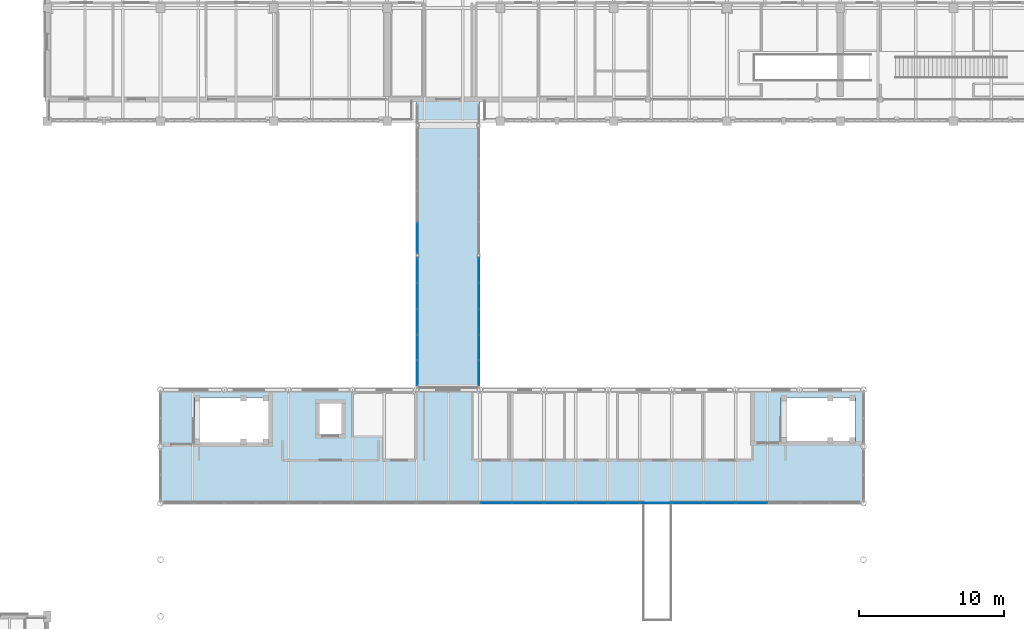
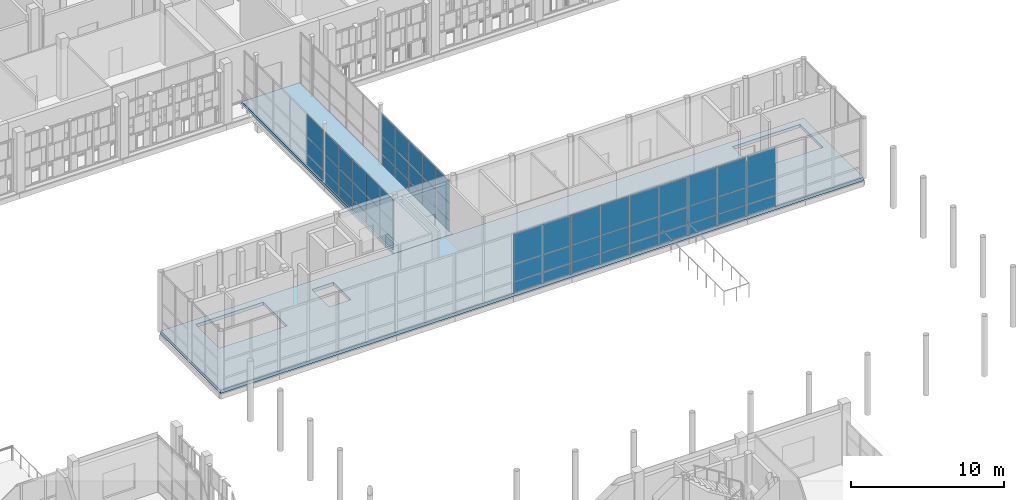
# One storey, part 82 of 138: 60 plates, 2 slabs, 8 elements without a shape of their own.
"""IFC4 building model written with IfcOpenShell, lengths in metres."""

from ifc_helpers import new_model, si_unit, direction, frame, origin, origin_2d, place, context, subcontext, project, spatial, polyline, rectangle, outline, extrude, material, layer, layer_set, type_object, element, aggregate, save


model = new_model("IFC4")

# Units and contexts
model_context = context("Model", 3, precision=1e-05, world=origin(), true_north=direction((0.0, 1.0)))
body_context = subcontext(model_context, "Body", "Model", "MODEL_VIEW")
ifc_project = project(units=[si_unit("LENGTHUNIT", "METRE"), si_unit("AREAUNIT", "SQUARE_METRE"), si_unit("VOLUMEUNIT", "CUBIC_METRE"), si_unit("PLANEANGLEUNIT", "RADIAN"), si_unit("MASSUNIT", "GRAM", prefix="KILO")], contexts=[model_context])

# Site, building, storey
site_placement = place(None, origin())
site = spatial("IfcSite", under=ifc_project, at=site_placement, CompositionType="ELEMENT")
building_placement = place(site_placement, origin())
building = spatial("IfcBuilding", under=site, at=building_placement, Name="Celorna Specialist Clinic", CompositionType="ELEMENT")
storey_placement = place(building_placement, frame((0.0, 0.0, 4.800048828125)))
storey = spatial("IfcBuildingStorey", under=building, at=storey_placement, Name="L01", CompositionType="ELEMENT", Elevation=4.800048828125)

# Curtain wall, plates
ifc_material_1 = material(Name="Thermally broken aluminium and solar-control glass curtain wall", Category="aluminium")
ifc_layer_1 = layer(ifc_material_1, 0.159912109375, Name="Thermally broken aluminium and solar-control glass curtain wall")
ifc_layer_set_1 = layer_set([ifc_layer_1], Name="Thermally broken aluminium and solar-control glass curtain wall")
curtain_wall_type_1 = type_object("IfcCurtainWallType", Name="CW-09", PredefinedType="NOTDEFINED", material=ifc_layer_set_1)
curtain_wall_1_placement = place(storey_placement, origin())
curtain_wall_1 = element("IfcCurtainWall", 1, at=curtain_wall_1_placement, inside=storey, type_object=curtain_wall_type_1, Name="Curtain wall CW-09 #33", PredefinedType="NOTDEFINED")
ifc_material_2 = material(Name="Low-e double glazing", Category="glass")
ifc_layer_2 = layer(ifc_material_2, 0.028076171875, Name="Low-e double glazing")
ifc_layer_set_2 = layer_set([ifc_layer_2], Name="Low-e double glazing")
plate_type_1 = type_object("IfcPlateType", Name="CPN-01", PredefinedType="CURTAIN_PANEL", material=ifc_layer_set_2)
plate_1_placement = place(storey_placement, frame((88.685546875, 70.199951171875, 0.0498046875), z_axis=(0.0, 0.0, 1.0), x_axis=(-1.0, 0.0, 0.0)))
plate_1 = element("IfcPlate", 2, at=plate_1_placement, type_object=plate_type_1, Name="CW-09 panel 1.1", PredefinedType="CURTAIN_PANEL", context=body_context, shape_type="SweptSolid", body=[
    extrude(rectangle(XDim=2.12109375, YDim=0.028076171875, at=origin_2d()), origin(), (0.0, 0.0, 1.0), 0.824951171875),
])
plate_2_placement = place(storey_placement, frame((88.685546875, 70.199951171875, 0.9248046875), z_axis=(0.0, 0.0, 1.0), x_axis=(-1.0, 0.0, 0.0)))
plate_2 = element("IfcPlate", 3, at=plate_2_placement, type_object=plate_type_1, Name="CW-09 panel 1.2", PredefinedType="CURTAIN_PANEL", context=body_context, shape_type="SweptSolid", body=[
    extrude(rectangle(XDim=2.12109375, YDim=0.028076171875, at=origin_2d()), origin(), (0.0, 0.0, 1.0), 1.35009765625),
])
plate_3_placement = place(storey_placement, frame((88.685546875, 70.199951171875, 2.324951171875), z_axis=(0.0, 0.0, 1.0), x_axis=(-1.0, 0.0, 0.0)))
plate_3 = element("IfcPlate", 4, at=plate_3_placement, type_object=plate_type_1, Name="CW-09 panel 1.3", PredefinedType="CURTAIN_PANEL", context=body_context, shape_type="SweptSolid", body=[
    extrude(rectangle(XDim=2.12109375, YDim=0.028076171875, at=origin_2d()), origin(), (0.0, 0.0, 1.0), 2.375),
])
plate_4_placement = place(storey_placement, frame((86.514404296875, 70.199951171875, 0.0498046875), z_axis=(0.0, 0.0, 1.0), x_axis=(-1.0, 0.0, 0.0)))
plate_4 = element("IfcPlate", 5, at=plate_4_placement, type_object=plate_type_1, Name="CW-09 panel 2.1", PredefinedType="CURTAIN_PANEL", context=body_context, shape_type="SweptSolid", body=[
    extrude(rectangle(XDim=2.12109375, YDim=0.028076171875, at=origin_2d()), origin(), (0.0, 0.0, 1.0), 0.824951171875),
])
plate_5_placement = place(storey_placement, frame((86.514404296875, 70.199951171875, 0.9248046875), z_axis=(0.0, 0.0, 1.0), x_axis=(-1.0, 0.0, 0.0)))
plate_5 = element("IfcPlate", 6, at=plate_5_placement, type_object=plate_type_1, Name="CW-09 panel 2.2", PredefinedType="CURTAIN_PANEL", context=body_context, shape_type="SweptSolid", body=[
    extrude(rectangle(XDim=2.12109375, YDim=0.028076171875, at=origin_2d()), origin(), (0.0, 0.0, 1.0), 1.35009765625),
])
plate_6_placement = place(storey_placement, frame((86.514404296875, 70.199951171875, 2.324951171875), z_axis=(0.0, 0.0, 1.0), x_axis=(-1.0, 0.0, 0.0)))
plate_6 = element("IfcPlate", 7, at=plate_6_placement, type_object=plate_type_1, Name="CW-09 panel 2.3", PredefinedType="CURTAIN_PANEL", context=body_context, shape_type="SweptSolid", body=[
    extrude(rectangle(XDim=2.12109375, YDim=0.028076171875, at=origin_2d()), origin(), (0.0, 0.0, 1.0), 2.375),
])
aggregate(curtain_wall_1, [plate_1, plate_2, plate_3, plate_4, plate_5, plate_6])

ifc_layer_3 = layer(ifc_material_1, 0.159912109375, Name="Thermally broken aluminium and solar-control glass curtain wall")
ifc_layer_set_3 = layer_set([ifc_layer_3], Name="Thermally broken aluminium and solar-control glass curtain wall")
curtain_wall_type_2 = type_object("IfcCurtainWallType", Name="CW-113", PredefinedType="NOTDEFINED", material=ifc_layer_set_3)
curtain_wall_2_placement = place(storey_placement, origin())
curtain_wall_2 = element("IfcCurtainWall", 8, at=curtain_wall_2_placement, inside=storey, type_object=curtain_wall_type_2, Name="Curtain wall CW-113 #210", PredefinedType="NOTDEFINED")
plate_7_placement = place(storey_placement, frame((72.280029296875, 79.150390625, 0.0498046875), z_axis=(0.0, 0.0, 1.0), x_axis=(0.0, 1.0, 0.0)))
plate_7 = element("IfcPlate", 9, at=plate_7_placement, type_object=plate_type_1, Name="CW-113 panel 1.1", PredefinedType="CURTAIN_PANEL", context=body_context, shape_type="SweptSolid", body=[
    extrude(rectangle(XDim=1.700927734375, YDim=0.028076171875, at=origin_2d()), origin(), (0.0, 0.0, 1.0), 0.824951171875),
])
plate_8_placement = place(storey_placement, frame((72.280029296875, 79.150390625, 0.9248046875), z_axis=(0.0, 0.0, 1.0), x_axis=(0.0, 1.0, 0.0)))
plate_8 = element("IfcPlate", 10, at=plate_8_placement, type_object=plate_type_1, Name="CW-113 panel 1.2", PredefinedType="CURTAIN_PANEL", context=body_context, shape_type="SweptSolid", body=[
    extrude(rectangle(XDim=1.700927734375, YDim=0.028076171875, at=origin_2d()), origin(), (0.0, 0.0, 1.0), 1.35009765625),
])
plate_9_placement = place(storey_placement, frame((72.280029296875, 79.150390625, 2.324951171875), z_axis=(0.0, 0.0, 1.0), x_axis=(0.0, 1.0, 0.0)))
plate_9 = element("IfcPlate", 11, at=plate_9_placement, type_object=plate_type_1, Name="CW-113 panel 1.3", PredefinedType="CURTAIN_PANEL", context=body_context, shape_type="SweptSolid", body=[
    extrude(rectangle(XDim=1.700927734375, YDim=0.028076171875, at=origin_2d()), origin(), (0.0, 0.0, 1.0), 1.7548828125),
])
plate_10_placement = place(storey_placement, frame((72.280029296875, 80.9140625, 0.0498046875), z_axis=(0.0, 0.0, 1.0), x_axis=(0.0, 1.0, 0.0)))
plate_10 = element("IfcPlate", 12, at=plate_10_placement, type_object=plate_type_1, Name="CW-113 panel 2.1", PredefinedType="CURTAIN_PANEL", context=body_context, shape_type="SweptSolid", body=[
    extrude(rectangle(XDim=1.72607421875, YDim=0.028076171875, at=origin_2d()), origin(), (0.0, 0.0, 1.0), 0.824951171875),
])
plate_11_placement = place(storey_placement, frame((72.280029296875, 80.9140625, 0.9248046875), z_axis=(0.0, 0.0, 1.0), x_axis=(0.0, 1.0, 0.0)))
plate_11 = element("IfcPlate", 13, at=plate_11_placement, type_object=plate_type_1, Name="CW-113 panel 2.2", PredefinedType="CURTAIN_PANEL", context=body_context, shape_type="SweptSolid", body=[
    extrude(rectangle(XDim=1.72607421875, YDim=0.028076171875, at=origin_2d()), origin(), (0.0, 0.0, 1.0), 1.35009765625),
])
plate_12_placement = place(storey_placement, frame((72.280029296875, 80.9140625, 2.324951171875), z_axis=(0.0, 0.0, 1.0), x_axis=(0.0, 1.0, 0.0)))
plate_12 = element("IfcPlate", 14, at=plate_12_placement, type_object=plate_type_1, Name="CW-113 panel 2.3", PredefinedType="CURTAIN_PANEL", context=body_context, shape_type="SweptSolid", body=[
    extrude(rectangle(XDim=1.72607421875, YDim=0.028076171875, at=origin_2d()), origin(), (0.0, 0.0, 1.0), 1.7548828125),
])
plate_13_placement = place(storey_placement, frame((72.280029296875, 82.68994140625, 0.0498046875), z_axis=(0.0, 0.0, 1.0), x_axis=(0.0, 1.0, 0.0)))
plate_13 = element("IfcPlate", 15, at=plate_13_placement, type_object=plate_type_1, Name="CW-113 panel 3.1", PredefinedType="CURTAIN_PANEL", context=body_context, shape_type="SweptSolid", body=[
    extrude(rectangle(XDim=1.72607421875, YDim=0.028076171875, at=origin_2d()), origin(), (0.0, 0.0, 1.0), 0.824951171875),
])
plate_14_placement = place(storey_placement, frame((72.280029296875, 82.68994140625, 0.9248046875), z_axis=(0.0, 0.0, 1.0), x_axis=(0.0, 1.0, 0.0)))
plate_14 = element("IfcPlate", 16, at=plate_14_placement, type_object=plate_type_1, Name="CW-113 panel 3.2", PredefinedType="CURTAIN_PANEL", context=body_context, shape_type="SweptSolid", body=[
    extrude(rectangle(XDim=1.72607421875, YDim=0.028076171875, at=origin_2d()), origin(), (0.0, 0.0, 1.0), 1.35009765625),
])
plate_15_placement = place(storey_placement, frame((72.280029296875, 82.68994140625, 2.324951171875), z_axis=(0.0, 0.0, 1.0), x_axis=(0.0, 1.0, 0.0)))
plate_15 = element("IfcPlate", 17, at=plate_15_placement, type_object=plate_type_1, Name="CW-113 panel 3.3", PredefinedType="CURTAIN_PANEL", context=body_context, shape_type="SweptSolid", body=[
    extrude(rectangle(XDim=1.72607421875, YDim=0.028076171875, at=origin_2d()), origin(), (0.0, 0.0, 1.0), 1.7548828125),
])
plate_16_placement = place(storey_placement, frame((72.280029296875, 84.466064453125, 0.0498046875), z_axis=(0.0, 0.0, 1.0), x_axis=(0.0, 1.0, 0.0)))
plate_16 = element("IfcPlate", 18, at=plate_16_placement, type_object=plate_type_1, Name="CW-113 panel 4.1", PredefinedType="CURTAIN_PANEL", context=body_context, shape_type="SweptSolid", body=[
    extrude(rectangle(XDim=1.72607421875, YDim=0.028076171875, at=origin_2d()), origin(), (0.0, 0.0, 1.0), 0.824951171875),
])
plate_17_placement = place(storey_placement, frame((72.280029296875, 84.466064453125, 0.9248046875), z_axis=(0.0, 0.0, 1.0), x_axis=(0.0, 1.0, 0.0)))
plate_17 = element("IfcPlate", 19, at=plate_17_placement, type_object=plate_type_1, Name="CW-113 panel 4.2", PredefinedType="CURTAIN_PANEL", context=body_context, shape_type="SweptSolid", body=[
    extrude(rectangle(XDim=1.72607421875, YDim=0.028076171875, at=origin_2d()), origin(), (0.0, 0.0, 1.0), 1.35009765625),
])
plate_18_placement = place(storey_placement, frame((72.280029296875, 84.466064453125, 2.324951171875), z_axis=(0.0, 0.0, 1.0), x_axis=(0.0, 1.0, 0.0)))
plate_18 = element("IfcPlate", 20, at=plate_18_placement, type_object=plate_type_1, Name="CW-113 panel 4.3", PredefinedType="CURTAIN_PANEL", context=body_context, shape_type="SweptSolid", body=[
    extrude(rectangle(XDim=1.72607421875, YDim=0.028076171875, at=origin_2d()), origin(), (0.0, 0.0, 1.0), 1.7548828125),
])
plate_19_placement = place(storey_placement, frame((72.280029296875, 86.2294921875, 0.0498046875), z_axis=(0.0, 0.0, 1.0), x_axis=(0.0, 1.0, 0.0)))
plate_19 = element("IfcPlate", 21, at=plate_19_placement, type_object=plate_type_1, Name="CW-113 panel 5.1", PredefinedType="CURTAIN_PANEL", context=body_context, shape_type="SweptSolid", body=[
    extrude(rectangle(XDim=1.700927734375, YDim=0.028076171875, at=origin_2d()), origin(), (0.0, 0.0, 1.0), 0.824951171875),
])
plate_20_placement = place(storey_placement, frame((72.280029296875, 86.2294921875, 0.9248046875), z_axis=(0.0, 0.0, 1.0), x_axis=(0.0, 1.0, 0.0)))
plate_20 = element("IfcPlate", 22, at=plate_20_placement, type_object=plate_type_1, Name="CW-113 panel 5.2", PredefinedType="CURTAIN_PANEL", context=body_context, shape_type="SweptSolid", body=[
    extrude(rectangle(XDim=1.700927734375, YDim=0.028076171875, at=origin_2d()), origin(), (0.0, 0.0, 1.0), 1.35009765625),
])
plate_21_placement = place(storey_placement, frame((72.280029296875, 86.2294921875, 2.324951171875), z_axis=(0.0, 0.0, 1.0), x_axis=(0.0, 1.0, 0.0)))
plate_21 = element("IfcPlate", 23, at=plate_21_placement, type_object=plate_type_1, Name="CW-113 panel 5.3", PredefinedType="CURTAIN_PANEL", context=body_context, shape_type="SweptSolid", body=[
    extrude(rectangle(XDim=1.700927734375, YDim=0.028076171875, at=origin_2d()), origin(), (0.0, 0.0, 1.0), 1.7548828125),
])
aggregate(curtain_wall_2, [plate_7, plate_8, plate_9, plate_10, plate_11, plate_12, plate_13, plate_14, plate_15, plate_16, plate_17, plate_18, plate_19, plate_20, plate_21])

ifc_layer_4 = layer(ifc_material_1, 0.159912109375, Name="Thermally broken aluminium and solar-control glass curtain wall")
ifc_layer_set_4 = layer_set([ifc_layer_4], Name="Thermally broken aluminium and solar-control glass curtain wall")
curtain_wall_type_3 = type_object("IfcCurtainWallType", Name="CW-114", PredefinedType="NOTDEFINED", material=ifc_layer_set_4)
curtain_wall_3_placement = place(storey_placement, origin())
curtain_wall_3 = element("IfcCurtainWall", 24, at=curtain_wall_3_placement, inside=storey, type_object=curtain_wall_type_3, Name="Curtain wall CW-114 #211", PredefinedType="NOTDEFINED")
plate_22_placement = place(storey_placement, frame((72.280029296875, 88.47119140625, 0.0498046875), z_axis=(0.0, 0.0, 1.0), x_axis=(0.0, 1.0, 0.0)))
plate_22 = element("IfcPlate", 25, at=plate_22_placement, type_object=plate_type_1, Name="CW-114 panel 1.1", PredefinedType="CURTAIN_PANEL", context=body_context, shape_type="SweptSolid", body=[
    extrude(rectangle(XDim=2.1025390625, YDim=0.028076171875, at=origin_2d()), origin(), (0.0, 0.0, 1.0), 0.824951171875),
])
plate_23_placement = place(storey_placement, frame((72.280029296875, 88.47119140625, 0.9248046875), z_axis=(0.0, 0.0, 1.0), x_axis=(0.0, 1.0, 0.0)))
plate_23 = element("IfcPlate", 26, at=plate_23_placement, type_object=plate_type_1, Name="CW-114 panel 1.2", PredefinedType="CURTAIN_PANEL", context=body_context, shape_type="SweptSolid", body=[
    extrude(rectangle(XDim=2.1025390625, YDim=0.028076171875, at=origin_2d()), origin(), (0.0, 0.0, 1.0), 1.35009765625),
])
plate_24_placement = place(storey_placement, frame((72.280029296875, 88.47119140625, 2.324951171875), z_axis=(0.0, 0.0, 1.0), x_axis=(0.0, 1.0, 0.0)))
plate_24 = element("IfcPlate", 27, at=plate_24_placement, type_object=plate_type_1, Name="CW-114 panel 1.3", PredefinedType="CURTAIN_PANEL", context=body_context, shape_type="SweptSolid", body=[
    extrude(rectangle(XDim=2.1025390625, YDim=0.028076171875, at=origin_2d()), origin(), (0.0, 0.0, 1.0), 1.7548828125),
])
aggregate(curtain_wall_3, [plate_22, plate_23, plate_24])

curtain_wall_4_placement = place(storey_placement, origin())
curtain_wall_4 = element("IfcCurtainWall", 28, at=curtain_wall_4_placement, inside=storey, type_object=curtain_wall_type_2, Name="Curtain wall CW-113 #215", PredefinedType="NOTDEFINED")
plate_25_placement = place(storey_placement, frame((76.52001953125, 86.2294921875, 0.0498046875), z_axis=(0.0, 0.0, 1.0), x_axis=(0.0, -1.0, 0.0)))
plate_25 = element("IfcPlate", 29, at=plate_25_placement, type_object=plate_type_1, Name="CW-113 panel 1.1", PredefinedType="CURTAIN_PANEL", context=body_context, shape_type="SweptSolid", body=[
    extrude(rectangle(XDim=1.700927734375, YDim=0.028076171875, at=origin_2d()), origin(), (0.0, 0.0, 1.0), 0.824951171875),
])
plate_26_placement = place(storey_placement, frame((76.52001953125, 86.2294921875, 0.9248046875), z_axis=(0.0, 0.0, 1.0), x_axis=(0.0, -1.0, 0.0)))
plate_26 = element("IfcPlate", 30, at=plate_26_placement, type_object=plate_type_1, Name="CW-113 panel 1.2", PredefinedType="CURTAIN_PANEL", context=body_context, shape_type="SweptSolid", body=[
    extrude(rectangle(XDim=1.700927734375, YDim=0.028076171875, at=origin_2d()), origin(), (0.0, 0.0, 1.0), 1.35009765625),
])
plate_27_placement = place(storey_placement, frame((76.52001953125, 86.2294921875, 2.324951171875), z_axis=(0.0, 0.0, 1.0), x_axis=(0.0, -1.0, 0.0)))
plate_27 = element("IfcPlate", 31, at=plate_27_placement, type_object=plate_type_1, Name="CW-113 panel 1.3", PredefinedType="CURTAIN_PANEL", context=body_context, shape_type="SweptSolid", body=[
    extrude(rectangle(XDim=1.700927734375, YDim=0.028076171875, at=origin_2d()), origin(), (0.0, 0.0, 1.0), 1.7548828125),
])
plate_28_placement = place(storey_placement, frame((76.52001953125, 84.466064453125, 0.0498046875), z_axis=(0.0, 0.0, 1.0), x_axis=(0.0, -1.0, 0.0)))
plate_28 = element("IfcPlate", 32, at=plate_28_placement, type_object=plate_type_1, Name="CW-113 panel 2.1", PredefinedType="CURTAIN_PANEL", context=body_context, shape_type="SweptSolid", body=[
    extrude(rectangle(XDim=1.72607421875, YDim=0.028076171875, at=origin_2d()), origin(), (0.0, 0.0, 1.0), 0.824951171875),
])
plate_29_placement = place(storey_placement, frame((76.52001953125, 84.466064453125, 0.9248046875), z_axis=(0.0, 0.0, 1.0), x_axis=(0.0, -1.0, 0.0)))
plate_29 = element("IfcPlate", 33, at=plate_29_placement, type_object=plate_type_1, Name="CW-113 panel 2.2", PredefinedType="CURTAIN_PANEL", context=body_context, shape_type="SweptSolid", body=[
    extrude(rectangle(XDim=1.72607421875, YDim=0.028076171875, at=origin_2d()), origin(), (0.0, 0.0, 1.0), 1.35009765625),
])
plate_30_placement = place(storey_placement, frame((76.52001953125, 84.466064453125, 2.324951171875), z_axis=(0.0, 0.0, 1.0), x_axis=(0.0, -1.0, 0.0)))
plate_30 = element("IfcPlate", 34, at=plate_30_placement, type_object=plate_type_1, Name="CW-113 panel 2.3", PredefinedType="CURTAIN_PANEL", context=body_context, shape_type="SweptSolid", body=[
    extrude(rectangle(XDim=1.72607421875, YDim=0.028076171875, at=origin_2d()), origin(), (0.0, 0.0, 1.0), 1.7548828125),
])
plate_31_placement = place(storey_placement, frame((76.52001953125, 82.68994140625, 0.0498046875), z_axis=(0.0, 0.0, 1.0), x_axis=(0.0, -1.0, 0.0)))
plate_31 = element("IfcPlate", 35, at=plate_31_placement, type_object=plate_type_1, Name="CW-113 panel 3.1", PredefinedType="CURTAIN_PANEL", context=body_context, shape_type="SweptSolid", body=[
    extrude(rectangle(XDim=1.72607421875, YDim=0.028076171875, at=origin_2d()), origin(), (0.0, 0.0, 1.0), 0.824951171875),
])
plate_32_placement = place(storey_placement, frame((76.52001953125, 82.68994140625, 0.9248046875), z_axis=(0.0, 0.0, 1.0), x_axis=(0.0, -1.0, 0.0)))
plate_32 = element("IfcPlate", 36, at=plate_32_placement, type_object=plate_type_1, Name="CW-113 panel 3.2", PredefinedType="CURTAIN_PANEL", context=body_context, shape_type="SweptSolid", body=[
    extrude(rectangle(XDim=1.72607421875, YDim=0.028076171875, at=origin_2d()), origin(), (0.0, 0.0, 1.0), 1.35009765625),
])
plate_33_placement = place(storey_placement, frame((76.52001953125, 82.68994140625, 2.324951171875), z_axis=(0.0, 0.0, 1.0), x_axis=(0.0, -1.0, 0.0)))
plate_33 = element("IfcPlate", 37, at=plate_33_placement, type_object=plate_type_1, Name="CW-113 panel 3.3", PredefinedType="CURTAIN_PANEL", context=body_context, shape_type="SweptSolid", body=[
    extrude(rectangle(XDim=1.72607421875, YDim=0.028076171875, at=origin_2d()), origin(), (0.0, 0.0, 1.0), 1.7548828125),
])
plate_34_placement = place(storey_placement, frame((76.52001953125, 80.9140625, 0.0498046875), z_axis=(0.0, 0.0, 1.0), x_axis=(0.0, -1.0, 0.0)))
plate_34 = element("IfcPlate", 38, at=plate_34_placement, type_object=plate_type_1, Name="CW-113 panel 4.1", PredefinedType="CURTAIN_PANEL", context=body_context, shape_type="SweptSolid", body=[
    extrude(rectangle(XDim=1.72607421875, YDim=0.028076171875, at=origin_2d()), origin(), (0.0, 0.0, 1.0), 0.824951171875),
])
plate_35_placement = place(storey_placement, frame((76.52001953125, 80.9140625, 0.9248046875), z_axis=(0.0, 0.0, 1.0), x_axis=(0.0, -1.0, 0.0)))
plate_35 = element("IfcPlate", 39, at=plate_35_placement, type_object=plate_type_1, Name="CW-113 panel 4.2", PredefinedType="CURTAIN_PANEL", context=body_context, shape_type="SweptSolid", body=[
    extrude(rectangle(XDim=1.72607421875, YDim=0.028076171875, at=origin_2d()), origin(), (0.0, 0.0, 1.0), 1.35009765625),
])
plate_36_placement = place(storey_placement, frame((76.52001953125, 80.9140625, 2.324951171875), z_axis=(0.0, 0.0, 1.0), x_axis=(0.0, -1.0, 0.0)))
plate_36 = element("IfcPlate", 40, at=plate_36_placement, type_object=plate_type_1, Name="CW-113 panel 4.3", PredefinedType="CURTAIN_PANEL", context=body_context, shape_type="SweptSolid", body=[
    extrude(rectangle(XDim=1.72607421875, YDim=0.028076171875, at=origin_2d()), origin(), (0.0, 0.0, 1.0), 1.7548828125),
])
plate_37_placement = place(storey_placement, frame((76.52001953125, 79.150390625, 0.0498046875), z_axis=(0.0, 0.0, 1.0), x_axis=(0.0, -1.0, 0.0)))
plate_37 = element("IfcPlate", 41, at=plate_37_placement, type_object=plate_type_1, Name="CW-113 panel 5.1", PredefinedType="CURTAIN_PANEL", context=body_context, shape_type="SweptSolid", body=[
    extrude(rectangle(XDim=1.700927734375, YDim=0.028076171875, at=origin_2d()), origin(), (0.0, 0.0, 1.0), 0.824951171875),
])
plate_38_placement = place(storey_placement, frame((76.52001953125, 79.150390625, 0.9248046875), z_axis=(0.0, 0.0, 1.0), x_axis=(0.0, -1.0, 0.0)))
plate_38 = element("IfcPlate", 42, at=plate_38_placement, type_object=plate_type_1, Name="CW-113 panel 5.2", PredefinedType="CURTAIN_PANEL", context=body_context, shape_type="SweptSolid", body=[
    extrude(rectangle(XDim=1.700927734375, YDim=0.028076171875, at=origin_2d()), origin(), (0.0, 0.0, 1.0), 1.35009765625),
])
plate_39_placement = place(storey_placement, frame((76.52001953125, 79.150390625, 2.324951171875), z_axis=(0.0, 0.0, 1.0), x_axis=(0.0, -1.0, 0.0)))
plate_39 = element("IfcPlate", 43, at=plate_39_placement, type_object=plate_type_1, Name="CW-113 panel 5.3", PredefinedType="CURTAIN_PANEL", context=body_context, shape_type="SweptSolid", body=[
    extrude(rectangle(XDim=1.700927734375, YDim=0.028076171875, at=origin_2d()), origin(), (0.0, 0.0, 1.0), 1.7548828125),
])
aggregate(curtain_wall_4, [plate_25, plate_26, plate_27, plate_28, plate_29, plate_30, plate_31, plate_32, plate_33, plate_34, plate_35, plate_36, plate_37, plate_38, plate_39])

ifc_layer_5 = layer(ifc_material_1, 0.159912109375, Name="Thermally broken aluminium and solar-control glass curtain wall")
ifc_layer_set_5 = layer_set([ifc_layer_5], Name="Thermally broken aluminium and solar-control glass curtain wall")
curtain_wall_type_4 = type_object("IfcCurtainWallType", Name="CW-10", PredefinedType="NOTDEFINED", material=ifc_layer_set_5)
curtain_wall_5_placement = place(storey_placement, origin())
curtain_wall_5 = element("IfcCurtainWall", 44, at=curtain_wall_5_placement, inside=storey, type_object=curtain_wall_type_4, Name="Curtain wall CW-10 #31", PredefinedType="NOTDEFINED")
ifc_material_3 = material(Name="Solar-control triple glazing", Category="glass")
ifc_layer_6 = layer(ifc_material_3, 0.035888671875, Name="Solar-control triple glazing")
ifc_layer_set_6 = layer_set([ifc_layer_6], Name="Solar-control triple glazing")
plate_type_2 = type_object("IfcPlateType", Name="CPN-02", PredefinedType="CURTAIN_PANEL", material=ifc_layer_set_6)
plate_40_placement = place(storey_placement, frame((79.885498046875, 70.199951171875, 0.0498046875), z_axis=(0.0, 0.0, 1.0), x_axis=(-1.0, 0.0, 0.0)))
plate_40 = element("IfcPlate", 45, at=plate_40_placement, type_object=plate_type_2, Name="CW-10 panel 1.1", PredefinedType="CURTAIN_PANEL", context=body_context, shape_type="SweptSolid", body=[
    extrude(rectangle(XDim=2.12109375, YDim=0.035888671875, at=origin_2d()), origin(), (0.0, 0.0, 1.0), 0.824951171875),
])
plate_41_placement = place(storey_placement, frame((79.885498046875, 70.199951171875, 0.9248046875), z_axis=(0.0, 0.0, 1.0), x_axis=(-1.0, 0.0, 0.0)))
plate_41 = element("IfcPlate", 46, at=plate_41_placement, type_object=plate_type_2, Name="CW-10 panel 1.2", PredefinedType="CURTAIN_PANEL", context=body_context, shape_type="SweptSolid", body=[
    extrude(rectangle(XDim=2.12109375, YDim=0.035888671875, at=origin_2d()), origin(), (0.0, 0.0, 1.0), 1.35009765625),
])
plate_42_placement = place(storey_placement, frame((79.885498046875, 70.199951171875, 2.324951171875), z_axis=(0.0, 0.0, 1.0), x_axis=(-1.0, 0.0, 0.0)))
plate_42 = element("IfcPlate", 47, at=plate_42_placement, type_object=plate_type_2, Name="CW-10 panel 1.3", PredefinedType="CURTAIN_PANEL", context=body_context, shape_type="SweptSolid", body=[
    extrude(rectangle(XDim=2.12109375, YDim=0.035888671875, at=origin_2d()), origin(), (0.0, 0.0, 1.0), 2.375),
])
plate_43_placement = place(storey_placement, frame((77.714599609375, 70.199951171875, 0.0498046875), z_axis=(0.0, 0.0, 1.0), x_axis=(-1.0, 0.0, 0.0)))
plate_43 = element("IfcPlate", 48, at=plate_43_placement, type_object=plate_type_2, Name="CW-10 panel 2.1", PredefinedType="CURTAIN_PANEL", context=body_context, shape_type="SweptSolid", body=[
    extrude(rectangle(XDim=2.12109375, YDim=0.035888671875, at=origin_2d()), origin(), (0.0, 0.0, 1.0), 0.824951171875),
])
plate_44_placement = place(storey_placement, frame((77.714599609375, 70.199951171875, 0.9248046875), z_axis=(0.0, 0.0, 1.0), x_axis=(-1.0, 0.0, 0.0)))
plate_44 = element("IfcPlate", 49, at=plate_44_placement, type_object=plate_type_2, Name="CW-10 panel 2.2", PredefinedType="CURTAIN_PANEL", context=body_context, shape_type="SweptSolid", body=[
    extrude(rectangle(XDim=2.12109375, YDim=0.035888671875, at=origin_2d()), origin(), (0.0, 0.0, 1.0), 1.35009765625),
])
plate_45_placement = place(storey_placement, frame((77.714599609375, 70.199951171875, 2.324951171875), z_axis=(0.0, 0.0, 1.0), x_axis=(-1.0, 0.0, 0.0)))
plate_45 = element("IfcPlate", 50, at=plate_45_placement, type_object=plate_type_2, Name="CW-10 panel 2.3", PredefinedType="CURTAIN_PANEL", context=body_context, shape_type="SweptSolid", body=[
    extrude(rectangle(XDim=2.12109375, YDim=0.035888671875, at=origin_2d()), origin(), (0.0, 0.0, 1.0), 2.375),
])
aggregate(curtain_wall_5, [plate_40, plate_41, plate_42, plate_43, plate_44, plate_45])

curtain_wall_6_placement = place(storey_placement, origin())
curtain_wall_6 = element("IfcCurtainWall", 51, at=curtain_wall_6_placement, inside=storey, type_object=curtain_wall_type_4, Name="Curtain wall CW-10 #34", PredefinedType="NOTDEFINED")
plate_46_placement = place(storey_placement, frame((93.08544921875, 70.199951171875, 0.0498046875), z_axis=(0.0, 0.0, 1.0), x_axis=(-1.0, 0.0, 0.0)))
plate_46 = element("IfcPlate", 52, at=plate_46_placement, type_object=plate_type_2, Name="CW-10 panel 1.1", PredefinedType="CURTAIN_PANEL", context=body_context, shape_type="SweptSolid", body=[
    extrude(rectangle(XDim=2.12109375, YDim=0.035888671875, at=origin_2d()), origin(), (0.0, 0.0, 1.0), 0.824951171875),
])
plate_47_placement = place(storey_placement, frame((93.08544921875, 70.199951171875, 0.9248046875), z_axis=(0.0, 0.0, 1.0), x_axis=(-1.0, 0.0, 0.0)))
plate_47 = element("IfcPlate", 53, at=plate_47_placement, type_object=plate_type_2, Name="CW-10 panel 1.2", PredefinedType="CURTAIN_PANEL", context=body_context, shape_type="SweptSolid", body=[
    extrude(rectangle(XDim=2.12109375, YDim=0.035888671875, at=origin_2d()), origin(), (0.0, 0.0, 1.0), 1.35009765625),
])
plate_48_placement = place(storey_placement, frame((93.08544921875, 70.199951171875, 2.324951171875), z_axis=(0.0, 0.0, 1.0), x_axis=(-1.0, 0.0, 0.0)))
plate_48 = element("IfcPlate", 54, at=plate_48_placement, type_object=plate_type_2, Name="CW-10 panel 1.3", PredefinedType="CURTAIN_PANEL", context=body_context, shape_type="SweptSolid", body=[
    extrude(rectangle(XDim=2.12109375, YDim=0.035888671875, at=origin_2d()), origin(), (0.0, 0.0, 1.0), 2.375),
])
plate_49_placement = place(storey_placement, frame((90.91455078125, 70.199951171875, 0.0498046875), z_axis=(0.0, 0.0, 1.0), x_axis=(-1.0, 0.0, 0.0)))
plate_49 = element("IfcPlate", 55, at=plate_49_placement, type_object=plate_type_2, Name="CW-10 panel 2.1", PredefinedType="CURTAIN_PANEL", context=body_context, shape_type="SweptSolid", body=[
    extrude(rectangle(XDim=2.12109375, YDim=0.035888671875, at=origin_2d()), origin(), (0.0, 0.0, 1.0), 0.824951171875),
])
plate_50_placement = place(storey_placement, frame((90.91455078125, 70.199951171875, 0.9248046875), z_axis=(0.0, 0.0, 1.0), x_axis=(-1.0, 0.0, 0.0)))
plate_50 = element("IfcPlate", 56, at=plate_50_placement, type_object=plate_type_2, Name="CW-10 panel 2.2", PredefinedType="CURTAIN_PANEL", context=body_context, shape_type="SweptSolid", body=[
    extrude(rectangle(XDim=2.12109375, YDim=0.035888671875, at=origin_2d()), origin(), (0.0, 0.0, 1.0), 1.35009765625),
])
plate_51_placement = place(storey_placement, frame((90.91455078125, 70.199951171875, 2.324951171875), z_axis=(0.0, 0.0, 1.0), x_axis=(-1.0, 0.0, 0.0)))
plate_51 = element("IfcPlate", 57, at=plate_51_placement, type_object=plate_type_2, Name="CW-10 panel 2.3", PredefinedType="CURTAIN_PANEL", context=body_context, shape_type="SweptSolid", body=[
    extrude(rectangle(XDim=2.12109375, YDim=0.035888671875, at=origin_2d()), origin(), (0.0, 0.0, 1.0), 2.375),
])
aggregate(curtain_wall_6, [plate_46, plate_47, plate_48, plate_49, plate_50, plate_51])

ifc_layer_7 = layer(ifc_material_1, 0.159912109375, Name="Thermally broken aluminium and solar-control glass curtain wall")
ifc_layer_set_7 = layer_set([ifc_layer_7], Name="Thermally broken aluminium and solar-control glass curtain wall")
curtain_wall_type_5 = type_object("IfcCurtainWallType", Name="CW-11", PredefinedType="NOTDEFINED", material=ifc_layer_set_7)
curtain_wall_7_placement = place(storey_placement, origin())
curtain_wall_7 = element("IfcCurtainWall", 58, at=curtain_wall_7_placement, inside=storey, type_object=curtain_wall_type_5, Name="Curtain wall CW-11 #32", PredefinedType="NOTDEFINED")
ifc_material_4 = material(Name="Glazed polychrome ceramic insulated spandrel")
ifc_layer_8 = layer(ifc_material_4, 0.0439453125, Name="Glazed polychrome ceramic insulated spandrel")
ifc_layer_set_8 = layer_set([ifc_layer_8], Name="Glazed polychrome ceramic insulated spandrel")
plate_type_3 = type_object("IfcPlateType", Name="CPN-03", PredefinedType="CURTAIN_PANEL", material=ifc_layer_set_8)
plate_52_placement = place(storey_placement, frame((84.285400390625, 70.199951171875, 0.0498046875), z_axis=(0.0, 0.0, 1.0), x_axis=(-1.0, 0.0, 0.0)))
plate_52 = element("IfcPlate", 59, at=plate_52_placement, type_object=plate_type_3, Name="CW-11 panel 1.1", PredefinedType="CURTAIN_PANEL", context=body_context, shape_type="SweptSolid", body=[
    extrude(rectangle(XDim=2.12109375, YDim=0.0439453125, at=origin_2d()), origin(), (0.0, 0.0, 1.0), 0.824951171875),
])
plate_53_placement = place(storey_placement, frame((84.285400390625, 70.199951171875, 0.9248046875), z_axis=(0.0, 0.0, 1.0), x_axis=(-1.0, 0.0, 0.0)))
plate_53 = element("IfcPlate", 60, at=plate_53_placement, type_object=plate_type_3, Name="CW-11 panel 1.2", PredefinedType="CURTAIN_PANEL", context=body_context, shape_type="SweptSolid", body=[
    extrude(rectangle(XDim=2.12109375, YDim=0.0439453125, at=origin_2d()), origin(), (0.0, 0.0, 1.0), 1.35009765625),
])
plate_54_placement = place(storey_placement, frame((84.285400390625, 70.199951171875, 2.324951171875), z_axis=(0.0, 0.0, 1.0), x_axis=(-1.0, 0.0, 0.0)))
plate_54 = element("IfcPlate", 61, at=plate_54_placement, type_object=plate_type_3, Name="CW-11 panel 1.3", PredefinedType="CURTAIN_PANEL", context=body_context, shape_type="SweptSolid", body=[
    extrude(rectangle(XDim=2.12109375, YDim=0.0439453125, at=origin_2d()), origin(), (0.0, 0.0, 1.0), 2.375),
])
plate_55_placement = place(storey_placement, frame((82.114501953125, 70.199951171875, 0.0498046875), z_axis=(0.0, 0.0, 1.0), x_axis=(-1.0, 0.0, 0.0)))
plate_55 = element("IfcPlate", 62, at=plate_55_placement, type_object=plate_type_3, Name="CW-11 panel 2.1", PredefinedType="CURTAIN_PANEL", context=body_context, shape_type="SweptSolid", body=[
    extrude(rectangle(XDim=2.12109375, YDim=0.0439453125, at=origin_2d()), origin(), (0.0, 0.0, 1.0), 0.824951171875),
])
plate_56_placement = place(storey_placement, frame((82.114501953125, 70.199951171875, 0.9248046875), z_axis=(0.0, 0.0, 1.0), x_axis=(-1.0, 0.0, 0.0)))
plate_56 = element("IfcPlate", 63, at=plate_56_placement, type_object=plate_type_3, Name="CW-11 panel 2.2", PredefinedType="CURTAIN_PANEL", context=body_context, shape_type="SweptSolid", body=[
    extrude(rectangle(XDim=2.12109375, YDim=0.0439453125, at=origin_2d()), origin(), (0.0, 0.0, 1.0), 1.35009765625),
])
plate_57_placement = place(storey_placement, frame((82.114501953125, 70.199951171875, 2.324951171875), z_axis=(0.0, 0.0, 1.0), x_axis=(-1.0, 0.0, 0.0)))
plate_57 = element("IfcPlate", 64, at=plate_57_placement, type_object=plate_type_3, Name="CW-11 panel 2.3", PredefinedType="CURTAIN_PANEL", context=body_context, shape_type="SweptSolid", body=[
    extrude(rectangle(XDim=2.12109375, YDim=0.0439453125, at=origin_2d()), origin(), (0.0, 0.0, 1.0), 2.375),
])
aggregate(curtain_wall_7, [plate_52, plate_53, plate_54, plate_55, plate_56, plate_57])

curtain_wall_8_placement = place(storey_placement, origin())
curtain_wall_8 = element("IfcCurtainWall", 65, at=curtain_wall_8_placement, inside=storey, type_object=curtain_wall_type_5, Name="Curtain wall CW-11 #35", PredefinedType="NOTDEFINED")
plate_58_placement = place(storey_placement, frame((95.314453125, 70.199951171875, 0.0498046875), z_axis=(0.0, 0.0, 1.0), x_axis=(-1.0, 0.0, 0.0)))
plate_58 = element("IfcPlate", 66, at=plate_58_placement, type_object=plate_type_3, Name="CW-11 panel 2.1", PredefinedType="CURTAIN_PANEL", context=body_context, shape_type="SweptSolid", body=[
    extrude(rectangle(XDim=2.12109375, YDim=0.0439453125, at=origin_2d()), origin(), (0.0, 0.0, 1.0), 0.824951171875),
])
plate_59_placement = place(storey_placement, frame((95.314453125, 70.199951171875, 0.9248046875), z_axis=(0.0, 0.0, 1.0), x_axis=(-1.0, 0.0, 0.0)))
plate_59 = element("IfcPlate", 67, at=plate_59_placement, type_object=plate_type_3, Name="CW-11 panel 2.2", PredefinedType="CURTAIN_PANEL", context=body_context, shape_type="SweptSolid", body=[
    extrude(rectangle(XDim=2.12109375, YDim=0.0439453125, at=origin_2d()), origin(), (0.0, 0.0, 1.0), 1.35009765625),
])
plate_60_placement = place(storey_placement, frame((95.314453125, 70.199951171875, 2.324951171875), z_axis=(0.0, 0.0, 1.0), x_axis=(-1.0, 0.0, 0.0)))
plate_60 = element("IfcPlate", 68, at=plate_60_placement, type_object=plate_type_3, Name="CW-11 panel 2.3", PredefinedType="CURTAIN_PANEL", context=body_context, shape_type="SweptSolid", body=[
    extrude(rectangle(XDim=2.12109375, YDim=0.0439453125, at=origin_2d()), origin(), (0.0, 0.0, 1.0), 2.375),
])
aggregate(curtain_wall_8, [plate_58, plate_59, plate_60])

# Slabs
ifc_material_5 = material(Name="Concrete C35/45", Category="concrete")
ifc_layer_9 = layer(ifc_material_5, 0.260009765625, Name="Concrete C35/45")
ifc_layer_set_9 = layer_set([ifc_layer_9], Name="Concrete C35/45")
slab_type_1 = type_object("IfcSlabType", Name="SL-08", PredefinedType="FLOOR", material=ifc_layer_set_9)
slab_1_placement = place(storey_placement, frame((0.0, 0.0, -0.260009765625)))
element("IfcSlab", 69, at=slab_1_placement, inside=storey, type_object=slab_type_1, Name="V1 L01 structural slab SL-08", PredefinedType="FLOOR", context=body_context, shape_type="SweptSolid", body=[
    extrude(outline(polyline([(103.0, 70.199951171875), (103.0, 78.0), (54.60009765625, 78.0), (54.60009765625, 70.199951171875), (103.0, 70.199951171875)]), holes=[polyline([(56.93994140625, 74.3798828125), (62.0400390625, 74.3798828125), (62.0400390625, 77.47998046875), (56.93994140625, 77.47998046875), (56.93994140625, 74.3798828125)]), polyline([(97.340087890625, 74.47998046875), (102.43994140625, 74.47998046875), (102.43994140625, 77.47998046875), (97.340087890625, 77.47998046875), (97.340087890625, 74.47998046875)]), polyline([(65.469970703125, 74.8701171875), (67.1298828125, 74.8701171875), (67.1298828125, 77.1298828125), (65.469970703125, 77.1298828125), (65.469970703125, 74.8701171875)])]), origin(), (0.0, 0.0, 1.0), 0.260009765625),
])
ifc_layer_10 = layer(ifc_material_5, 0.219970703125, Name="Concrete C35/45")
ifc_layer_set_10 = layer_set([ifc_layer_10], Name="Concrete C35/45")
slab_type_2 = type_object("IfcSlabType", Name="SL-10", PredefinedType="FLOOR", material=ifc_layer_set_10)
slab_2_placement = place(storey_placement, frame((0.0, 0.0, -0.219970703125)))
element("IfcSlab", 70, at=slab_2_placement, inside=storey, type_object=slab_type_2, Name="Cloister bridge BR-04 L01 deck", PredefinedType="FLOOR", context=body_context, shape_type="SweptSolid", body=[
    extrude(outline(polyline([(72.199951171875, 78.0), (76.60009765625, 78.0), (76.60009765625, 97.919921875), (72.199951171875, 97.919921875), (72.199951171875, 78.0)])), origin(), (0.0, 0.0, 1.0), 0.219970703125),
])

save(model, "model.ifc")
